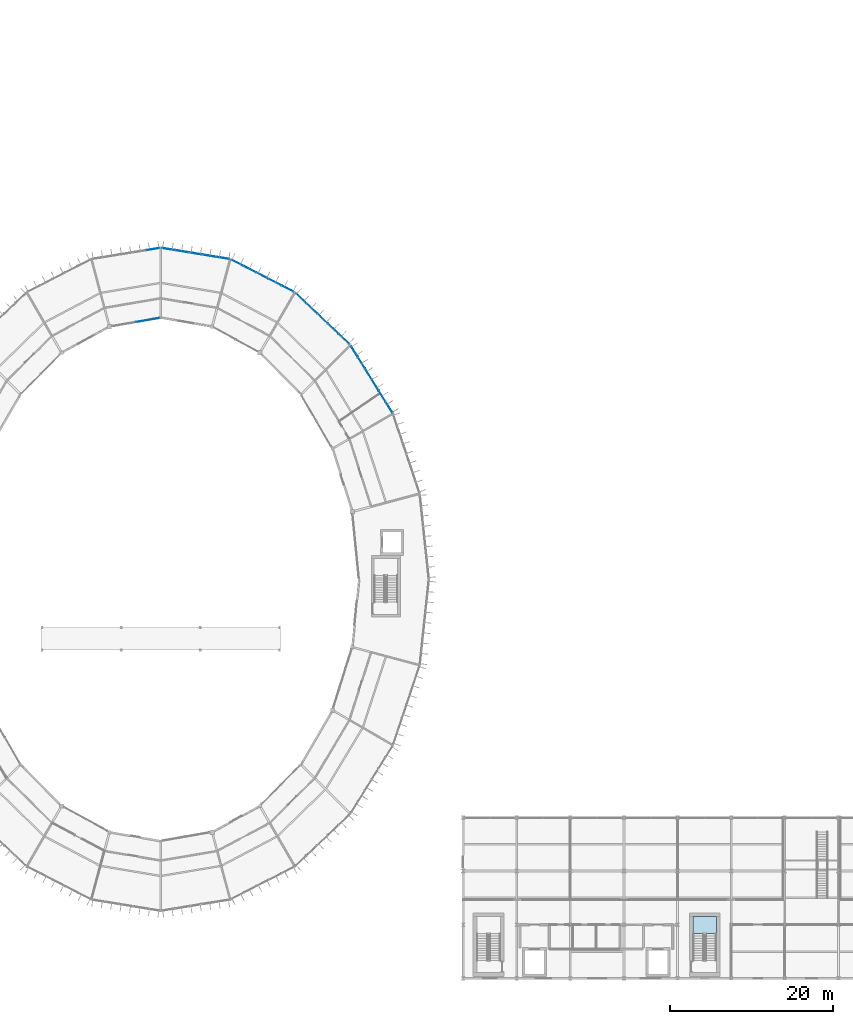
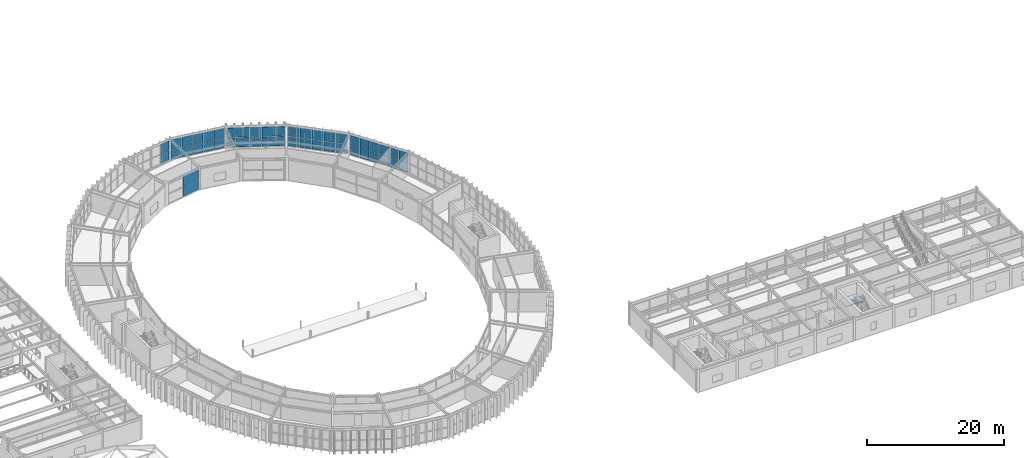
# One storey, part 119 of 157: 46 plates, 1 slab, 7 elements without a shape of their own.
"""IFC4 building model written with IfcOpenShell, lengths in metres."""

from ifc_helpers import new_model, si_unit, direction, frame, origin, origin_2d, place, context, subcontext, project, spatial, polyline, rectangle, outline, extrude, material, layer, layer_set, type_object, element, aggregate, save


model = new_model("IFC4")

# Units and contexts
model_context = context("Model", 3, precision=1e-05, world=origin(), true_north=direction((0.0, 1.0)))
body_context = subcontext(model_context, "Body", "Model", "MODEL_VIEW")
ifc_project = project(units=[si_unit("LENGTHUNIT", "METRE"), si_unit("AREAUNIT", "SQUARE_METRE"), si_unit("VOLUMEUNIT", "CUBIC_METRE"), si_unit("PLANEANGLEUNIT", "RADIAN"), si_unit("MASSUNIT", "GRAM", prefix="KILO")], contexts=[model_context])

# Site, building, storey
site_placement = place(None, origin())
site = spatial("IfcSite", under=ifc_project, at=site_placement, CompositionType="ELEMENT")
building_placement = place(site_placement, origin())
building = spatial("IfcBuilding", under=site, at=building_placement, Name="Karori Crest Natural Sciences Institute", CompositionType="ELEMENT")
storey_placement = place(building_placement, frame((0.0, 0.0, 13.300048828125)))
storey = spatial("IfcBuildingStorey", under=building, at=storey_placement, Name="L03", CompositionType="ELEMENT", Elevation=13.300048828125)

# Curtain wall, plates
ifc_material_1 = material(Name="Anodised architectural aluminium 6063-T6", Category="aluminium")
curtain_wall_type_1 = type_object("IfcCurtainWallType", Name="CWT-04", PredefinedType="NOTDEFINED", material=ifc_material_1)
curtain_wall_1_placement = place(storey_placement, origin())
curtain_wall_1 = element("IfcCurtainWall", 1, at=curtain_wall_1_placement, inside=storey, type_object=curtain_wall_type_1, Name="Curtain wall CW-0105", PredefinedType="NOTDEFINED")
ifc_material_2 = material(Name="Double low-E laminated glass", Category="glass")
ifc_layer_1 = layer(ifc_material_2, 0.02392578125, Name="Double low-E laminated glass")
ifc_layer_set_1 = layer_set([ifc_layer_1], Name="Double low-E laminated glass")
plate_type_1 = type_object("IfcPlateType", Name="CWP-01", PredefinedType="CURTAIN_PANEL", material=ifc_layer_set_1)
plate_1_placement = place(storey_placement, frame((83.695556640625, 84.47900390625, 0.06005859375), z_axis=(0.0, 0.0, 1.0), x_axis=(0.725471459192, -0.688252251648, 0.0)))
plate_1 = element("IfcPlate", 2, at=plate_1_placement, type_object=plate_type_1, Name="CW-0105 panel 1.1", PredefinedType="CURTAIN_PANEL", context=body_context, shape_type="SweptSolid", body=[
    extrude(rectangle(XDim=1.717041015625, YDim=0.02392578125, at=origin_2d()), origin(), (0.0, 0.0, 1.0), 1.722412109375),
])
plate_2_placement = place(storey_placement, frame((83.695556640625, 84.47900390625, 1.84228515625), z_axis=(0.0, 0.0, 1.0), x_axis=(0.725471459192, -0.688252251648, 0.0)))
plate_2 = element("IfcPlate", 3, at=plate_2_placement, type_object=plate_type_1, Name="CW-0105 panel 1.2", PredefinedType="CURTAIN_PANEL", context=body_context, shape_type="SweptSolid", body=[
    extrude(rectangle(XDim=1.717041015625, YDim=0.02392578125, at=origin_2d()), origin(), (0.0, 0.0, 1.0), 1.722412109375),
])
plate_3_placement = place(storey_placement, frame((85.000244140625, 83.2412109375, 0.06005859375), z_axis=(0.0, 0.0, 1.0), x_axis=(0.725471459192, -0.688252251648, 0.0)))
plate_3 = element("IfcPlate", 4, at=plate_3_placement, type_object=plate_type_1, Name="CW-0105 panel 2.1", PredefinedType="CURTAIN_PANEL", context=body_context, shape_type="SweptSolid", body=[
    extrude(rectangle(XDim=1.749755859375, YDim=0.02392578125, at=origin_2d()), origin(), (0.0, 0.0, 1.0), 1.722412109375),
])
plate_4_placement = place(storey_placement, frame((85.000244140625, 83.2412109375, 1.84228515625), z_axis=(0.0, 0.0, 1.0), x_axis=(0.725471459192, -0.688252251648, 0.0)))
plate_4 = element("IfcPlate", 5, at=plate_4_placement, type_object=plate_type_1, Name="CW-0105 panel 2.2", PredefinedType="CURTAIN_PANEL", context=body_context, shape_type="SweptSolid", body=[
    extrude(rectangle(XDim=1.749755859375, YDim=0.02392578125, at=origin_2d()), origin(), (0.0, 0.0, 1.0), 1.722412109375),
])
plate_5_placement = place(storey_placement, frame((86.31689453125, 81.992431640625, 0.06005859375), z_axis=(0.0, 0.0, 1.0), x_axis=(0.725471459192, -0.688252251648, 0.0)))
plate_5 = element("IfcPlate", 6, at=plate_5_placement, type_object=plate_type_1, Name="CW-0105 panel 3.1", PredefinedType="CURTAIN_PANEL", context=body_context, shape_type="SweptSolid", body=[
    extrude(rectangle(XDim=1.749755859375, YDim=0.02392578125, at=origin_2d()), origin(), (0.0, 0.0, 1.0), 1.722412109375),
])
plate_6_placement = place(storey_placement, frame((86.31689453125, 81.992431640625, 1.84228515625), z_axis=(0.0, 0.0, 1.0), x_axis=(0.725471459192, -0.688252251648, 0.0)))
plate_6 = element("IfcPlate", 7, at=plate_6_placement, type_object=plate_type_1, Name="CW-0105 panel 3.2", PredefinedType="CURTAIN_PANEL", context=body_context, shape_type="SweptSolid", body=[
    extrude(rectangle(XDim=1.749755859375, YDim=0.02392578125, at=origin_2d()), origin(), (0.0, 0.0, 1.0), 1.722412109375),
])
plate_7_placement = place(storey_placement, frame((87.63330078125, 80.743408203125, 0.06005859375), z_axis=(0.0, 0.0, 1.0), x_axis=(0.725471459192, -0.688252251648, 0.0)))
plate_7 = element("IfcPlate", 8, at=plate_7_placement, type_object=plate_type_1, Name="CW-0105 panel 4.1", PredefinedType="CURTAIN_PANEL", context=body_context, shape_type="SweptSolid", body=[
    extrude(rectangle(XDim=1.749755859375, YDim=0.02392578125, at=origin_2d()), origin(), (0.0, 0.0, 1.0), 1.722412109375),
])
plate_8_placement = place(storey_placement, frame((87.63330078125, 80.743408203125, 1.84228515625), z_axis=(0.0, 0.0, 1.0), x_axis=(0.725471459192, -0.688252251648, 0.0)))
plate_8 = element("IfcPlate", 9, at=plate_8_placement, type_object=plate_type_1, Name="CW-0105 panel 4.2", PredefinedType="CURTAIN_PANEL", context=body_context, shape_type="SweptSolid", body=[
    extrude(rectangle(XDim=1.749755859375, YDim=0.02392578125, at=origin_2d()), origin(), (0.0, 0.0, 1.0), 1.722412109375),
])
plate_9_placement = place(storey_placement, frame((88.93798828125, 79.505615234375, 0.06005859375), z_axis=(0.0, 0.0, 1.0), x_axis=(0.725471459192, -0.688252251648, 0.0)))
plate_9 = element("IfcPlate", 10, at=plate_9_placement, type_object=plate_type_1, Name="CW-0105 panel 5.1", PredefinedType="CURTAIN_PANEL", context=body_context, shape_type="SweptSolid", body=[
    extrude(rectangle(XDim=1.717041015625, YDim=0.02392578125, at=origin_2d()), origin(), (0.0, 0.0, 1.0), 1.722412109375),
])
plate_10_placement = place(storey_placement, frame((88.93798828125, 79.505615234375, 1.84228515625), z_axis=(0.0, 0.0, 1.0), x_axis=(0.725471459192, -0.688252251648, 0.0)))
plate_10 = element("IfcPlate", 11, at=plate_10_placement, type_object=plate_type_1, Name="CW-0105 panel 5.2", PredefinedType="CURTAIN_PANEL", context=body_context, shape_type="SweptSolid", body=[
    extrude(rectangle(XDim=1.717041015625, YDim=0.02392578125, at=origin_2d()), origin(), (0.0, 0.0, 1.0), 1.722412109375),
])
aggregate(curtain_wall_1, [plate_1, plate_2, plate_3, plate_4, plate_5, plate_6, plate_7, plate_8, plate_9, plate_10])

curtain_wall_type_2 = type_object("IfcCurtainWallType", Name="CWT-07", PredefinedType="NOTDEFINED", material=ifc_material_1)
curtain_wall_2_placement = place(storey_placement, origin())
curtain_wall_2 = element("IfcCurtainWall", 12, at=curtain_wall_2_placement, inside=storey, type_object=curtain_wall_type_2, Name="Curtain wall CW-0109", PredefinedType="NOTDEFINED")
plate_11_placement = place(storey_placement, frame((65.428955078125, 90.5419921875, 0.06494140625), z_axis=(0.0, 0.0, 1.0), x_axis=(0.987011397252, 0.160650246484, 0.0)))
plate_11 = element("IfcPlate", 13, at=plate_11_placement, type_object=plate_type_1, Name="CW-0109 panel 5.1", PredefinedType="CURTAIN_PANEL", context=body_context, shape_type="SweptSolid", body=[
    extrude(rectangle(XDim=1.582275390625, YDim=0.02392578125, at=origin_2d()), origin(), (0.0, 0.0, 1.0), 1.715087890625),
])
plate_12_placement = place(storey_placement, frame((65.428955078125, 90.5419921875, 1.8447265625), z_axis=(0.0, 0.0, 1.0), x_axis=(0.987011397252, 0.160650246484, 0.0)))
plate_12 = element("IfcPlate", 14, at=plate_12_placement, type_object=plate_type_1, Name="CW-0109 panel 5.2", PredefinedType="CURTAIN_PANEL", context=body_context, shape_type="SweptSolid", body=[
    extrude(rectangle(XDim=1.582275390625, YDim=0.02392578125, at=origin_2d()), origin(), (0.0, 0.0, 1.0), 1.715087890625),
])
aggregate(curtain_wall_2, [plate_11, plate_12])

curtain_wall_type_3 = type_object("IfcCurtainWallType", Name="CWT-12", PredefinedType="NOTDEFINED", material=ifc_material_1)
curtain_wall_3_placement = place(storey_placement, origin())
curtain_wall_3 = element("IfcCurtainWall", 15, at=curtain_wall_3_placement, inside=storey, type_object=curtain_wall_type_3, Name="Curtain wall CW-0110", PredefinedType="NOTDEFINED")
plate_13_placement = place(storey_placement, frame((64.798095703125, 81.821533203125, 0.06005859375), z_axis=(0.0, 0.0, 1.0), x_axis=(-0.985240827231, -0.171173924291, 0.0)))
plate_13 = element("IfcPlate", 16, at=plate_13_placement, type_object=plate_type_1, Name="CW-0110 panel 1.1", PredefinedType="CURTAIN_PANEL", context=body_context, shape_type="SweptSolid", body=[
    extrude(rectangle(XDim=2.91796875, YDim=0.02392578125, at=origin_2d()), origin(), (0.0, 0.0, 1.0), 1.735107421875),
])
plate_14_placement = place(storey_placement, frame((64.798095703125, 81.821533203125, 1.85498046875), z_axis=(0.0, 0.0, 1.0), x_axis=(-0.985240827231, -0.171173924291, 0.0)))
plate_14 = element("IfcPlate", 17, at=plate_14_placement, type_object=plate_type_1, Name="CW-0110 panel 1.2", PredefinedType="CURTAIN_PANEL", context=body_context, shape_type="SweptSolid", body=[
    extrude(rectangle(XDim=2.91796875, YDim=0.02392578125, at=origin_2d()), origin(), (0.0, 0.0, 1.0), 1.735107421875),
])
aggregate(curtain_wall_3, [plate_13, plate_14])

curtain_wall_type_4 = type_object("IfcCurtainWallType", Name="CWT-05", PredefinedType="NOTDEFINED", material=ifc_material_1)
curtain_wall_4_placement = place(storey_placement, origin())
curtain_wall_4 = element("IfcCurtainWall", 18, at=curtain_wall_4_placement, inside=storey, type_object=curtain_wall_type_4, Name="Curtain wall CW-0106", PredefinedType="NOTDEFINED")
ifc_layer_2 = layer(ifc_material_2, 0.033935546875, Name="Double low-E laminated glass")
ifc_layer_set_2 = layer_set([ifc_layer_2], Name="Double low-E laminated glass")
plate_type_2 = type_object("IfcPlateType", Name="CWP-02", PredefinedType="CURTAIN_PANEL", material=ifc_layer_set_2)
plate_15_placement = place(storey_placement, frame((75.806640625, 88.866455078125, 0.06494140625), z_axis=(0.0, 0.0, 1.0), x_axis=(0.890067432138, -0.455828878252, 0.0)))
plate_15 = element("IfcPlate", 19, at=plate_15_placement, type_object=plate_type_2, Name="CW-0106 panel 1.1", PredefinedType="CURTAIN_PANEL", context=body_context, shape_type="SweptSolid", body=[
    extrude(rectangle(XDim=1.645751953125, YDim=0.033935546875, at=origin_2d()), origin(), (0.0, 0.0, 1.0), 1.715087890625),
])
plate_16_placement = place(storey_placement, frame((75.806640625, 88.866455078125, 1.8447265625), z_axis=(0.0, 0.0, 1.0), x_axis=(0.890067432138, -0.455828878252, 0.0)))
plate_16 = element("IfcPlate", 20, at=plate_16_placement, type_object=plate_type_2, Name="CW-0106 panel 1.2", PredefinedType="CURTAIN_PANEL", context=body_context, shape_type="SweptSolid", body=[
    extrude(rectangle(XDim=1.645751953125, YDim=0.033935546875, at=origin_2d()), origin(), (0.0, 0.0, 1.0), 1.715087890625),
])
plate_17_placement = place(storey_placement, frame((77.34375, 88.079345703125, 0.06494140625), z_axis=(0.0, 0.0, 1.0), x_axis=(0.890067432138, -0.455828878252, 0.0)))
plate_17 = element("IfcPlate", 21, at=plate_17_placement, type_object=plate_type_2, Name="CW-0106 panel 2.1", PredefinedType="CURTAIN_PANEL", context=body_context, shape_type="SweptSolid", body=[
    extrude(rectangle(XDim=1.678466796875, YDim=0.033935546875, at=origin_2d()), origin(), (0.0, 0.0, 1.0), 1.715087890625),
])
plate_18_placement = place(storey_placement, frame((77.34375, 88.079345703125, 1.8447265625), z_axis=(0.0, 0.0, 1.0), x_axis=(0.890067432138, -0.455828878252, 0.0)))
plate_18 = element("IfcPlate", 22, at=plate_18_placement, type_object=plate_type_2, Name="CW-0106 panel 2.2", PredefinedType="CURTAIN_PANEL", context=body_context, shape_type="SweptSolid", body=[
    extrude(rectangle(XDim=1.678466796875, YDim=0.033935546875, at=origin_2d()), origin(), (0.0, 0.0, 1.0), 1.715087890625),
])
plate_19_placement = place(storey_placement, frame((78.8955078125, 87.28466796875, 0.06494140625), z_axis=(0.0, 0.0, 1.0), x_axis=(0.890067432138, -0.455828878252, 0.0)))
plate_19 = element("IfcPlate", 23, at=plate_19_placement, type_object=plate_type_2, Name="CW-0106 panel 3.1", PredefinedType="CURTAIN_PANEL", context=body_context, shape_type="SweptSolid", body=[
    extrude(rectangle(XDim=1.678466796875, YDim=0.033935546875, at=origin_2d()), origin(), (0.0, 0.0, 1.0), 1.715087890625),
])
plate_20_placement = place(storey_placement, frame((78.8955078125, 87.28466796875, 1.8447265625), z_axis=(0.0, 0.0, 1.0), x_axis=(0.890067432138, -0.455828878252, 0.0)))
plate_20 = element("IfcPlate", 24, at=plate_20_placement, type_object=plate_type_2, Name="CW-0106 panel 3.2", PredefinedType="CURTAIN_PANEL", context=body_context, shape_type="SweptSolid", body=[
    extrude(rectangle(XDim=1.678466796875, YDim=0.033935546875, at=origin_2d()), origin(), (0.0, 0.0, 1.0), 1.715087890625),
])
plate_21_placement = place(storey_placement, frame((80.447265625, 86.489990234375, 0.06494140625), z_axis=(0.0, 0.0, 1.0), x_axis=(0.890067432138, -0.455828878252, 0.0)))
plate_21 = element("IfcPlate", 25, at=plate_21_placement, type_object=plate_type_2, Name="CW-0106 panel 4.1", PredefinedType="CURTAIN_PANEL", context=body_context, shape_type="SweptSolid", body=[
    extrude(rectangle(XDim=1.678466796875, YDim=0.033935546875, at=origin_2d()), origin(), (0.0, 0.0, 1.0), 1.715087890625),
])
plate_22_placement = place(storey_placement, frame((80.447265625, 86.489990234375, 1.8447265625), z_axis=(0.0, 0.0, 1.0), x_axis=(0.890067432138, -0.455828878252, 0.0)))
plate_22 = element("IfcPlate", 26, at=plate_22_placement, type_object=plate_type_2, Name="CW-0106 panel 4.2", PredefinedType="CURTAIN_PANEL", context=body_context, shape_type="SweptSolid", body=[
    extrude(rectangle(XDim=1.678466796875, YDim=0.033935546875, at=origin_2d()), origin(), (0.0, 0.0, 1.0), 1.715087890625),
])
plate_23_placement = place(storey_placement, frame((81.984375, 85.70263671875, 0.06494140625), z_axis=(0.0, 0.0, 1.0), x_axis=(0.890067432138, -0.455828878252, 0.0)))
plate_23 = element("IfcPlate", 27, at=plate_23_placement, type_object=plate_type_2, Name="CW-0106 panel 5.1", PredefinedType="CURTAIN_PANEL", context=body_context, shape_type="SweptSolid", body=[
    extrude(rectangle(XDim=1.645751953125, YDim=0.033935546875, at=origin_2d()), origin(), (0.0, 0.0, 1.0), 1.715087890625),
])
plate_24_placement = place(storey_placement, frame((81.984375, 85.70263671875, 1.8447265625), z_axis=(0.0, 0.0, 1.0), x_axis=(0.890067432138, -0.455828878252, 0.0)))
plate_24 = element("IfcPlate", 28, at=plate_24_placement, type_object=plate_type_2, Name="CW-0106 panel 5.2", PredefinedType="CURTAIN_PANEL", context=body_context, shape_type="SweptSolid", body=[
    extrude(rectangle(XDim=1.645751953125, YDim=0.033935546875, at=origin_2d()), origin(), (0.0, 0.0, 1.0), 1.715087890625),
])
aggregate(curtain_wall_4, [plate_15, plate_16, plate_17, plate_18, plate_19, plate_20, plate_21, plate_22, plate_23, plate_24])

curtain_wall_type_5 = type_object("IfcCurtainWallType", Name="CWT-03", PredefinedType="NOTDEFINED", material=ifc_material_1)
curtain_wall_5_placement = place(storey_placement, origin())
curtain_wall_5 = element("IfcCurtainWall", 29, at=curtain_wall_5_placement, inside=storey, type_object=curtain_wall_type_5, Name="Curtain wall CW-0103", PredefinedType="NOTDEFINED")
ifc_layer_3 = layer(ifc_material_2, 0.0439453125, Name="Double low-E laminated glass")
ifc_layer_set_3 = layer_set([ifc_layer_3], Name="Double low-E laminated glass")
plate_type_3 = type_object("IfcPlateType", Name="CWP-03", PredefinedType="CURTAIN_PANEL", material=ifc_layer_set_3)
plate_25_placement = place(storey_placement, frame((90.2490234375, 77.921142578125, 0.06494140625), z_axis=(0.0, 0.0, 1.0), x_axis=(0.527327706489, -0.849661985715, 0.0)))
plate_25 = element("IfcPlate", 30, at=plate_25_placement, type_object=plate_type_3, Name="CW-0103 panel 1.1", PredefinedType="CURTAIN_PANEL", context=body_context, shape_type="SweptSolid", body=[
    extrude(rectangle(XDim=1.519287109375, YDim=0.0439453125, at=origin_2d()), origin(), (0.0, 0.0, 1.0), 1.715087890625),
])
plate_26_placement = place(storey_placement, frame((90.2490234375, 77.921142578125, 1.8447265625), z_axis=(0.0, 0.0, 1.0), x_axis=(0.527327706489, -0.849661985715, 0.0)))
plate_26 = element("IfcPlate", 31, at=plate_26_placement, type_object=plate_type_3, Name="CW-0103 panel 1.2", PredefinedType="CURTAIN_PANEL", context=body_context, shape_type="SweptSolid", body=[
    extrude(rectangle(XDim=1.519287109375, YDim=0.0439453125, at=origin_2d()), origin(), (0.0, 0.0, 1.0), 1.715087890625),
])
plate_27_placement = place(storey_placement, frame((91.093017578125, 76.56103515625, 0.06494140625), z_axis=(0.0, 0.0, 1.0), x_axis=(0.527327706489, -0.849661985715, 0.0)))
plate_27 = element("IfcPlate", 32, at=plate_27_placement, type_object=plate_type_3, Name="CW-0103 panel 2.1", PredefinedType="CURTAIN_PANEL", context=body_context, shape_type="SweptSolid", body=[
    extrude(rectangle(XDim=1.5517578125, YDim=0.0439453125, at=origin_2d()), origin(), (0.0, 0.0, 1.0), 1.715087890625),
])
plate_28_placement = place(storey_placement, frame((91.093017578125, 76.56103515625, 1.8447265625), z_axis=(0.0, 0.0, 1.0), x_axis=(0.527327706489, -0.849661985715, 0.0)))
plate_28 = element("IfcPlate", 33, at=plate_28_placement, type_object=plate_type_3, Name="CW-0103 panel 2.2", PredefinedType="CURTAIN_PANEL", context=body_context, shape_type="SweptSolid", body=[
    extrude(rectangle(XDim=1.5517578125, YDim=0.0439453125, at=origin_2d()), origin(), (0.0, 0.0, 1.0), 1.715087890625),
])
plate_29_placement = place(storey_placement, frame((91.945556640625, 75.187255859375, 0.06494140625), z_axis=(0.0, 0.0, 1.0), x_axis=(0.527327706489, -0.849661985715, 0.0)))
plate_29 = element("IfcPlate", 34, at=plate_29_placement, type_object=plate_type_3, Name="CW-0103 panel 3.1", PredefinedType="CURTAIN_PANEL", context=body_context, shape_type="SweptSolid", body=[
    extrude(rectangle(XDim=1.5517578125, YDim=0.0439453125, at=origin_2d()), origin(), (0.0, 0.0, 1.0), 1.715087890625),
])
plate_30_placement = place(storey_placement, frame((91.945556640625, 75.187255859375, 1.8447265625), z_axis=(0.0, 0.0, 1.0), x_axis=(0.527327706489, -0.849661985715, 0.0)))
plate_30 = element("IfcPlate", 35, at=plate_30_placement, type_object=plate_type_3, Name="CW-0103 panel 3.2", PredefinedType="CURTAIN_PANEL", context=body_context, shape_type="SweptSolid", body=[
    extrude(rectangle(XDim=1.5517578125, YDim=0.0439453125, at=origin_2d()), origin(), (0.0, 0.0, 1.0), 1.715087890625),
])
plate_31_placement = place(storey_placement, frame((92.798095703125, 73.813720703125, 0.06494140625), z_axis=(0.0, 0.0, 1.0), x_axis=(0.527327706489, -0.849661985715, 0.0)))
plate_31 = element("IfcPlate", 36, at=plate_31_placement, type_object=plate_type_3, Name="CW-0103 panel 4.1", PredefinedType="CURTAIN_PANEL", context=body_context, shape_type="SweptSolid", body=[
    extrude(rectangle(XDim=1.5517578125, YDim=0.0439453125, at=origin_2d()), origin(), (0.0, 0.0, 1.0), 1.715087890625),
])
plate_32_placement = place(storey_placement, frame((92.798095703125, 73.813720703125, 1.8447265625), z_axis=(0.0, 0.0, 1.0), x_axis=(0.527327706489, -0.849661985715, 0.0)))
plate_32 = element("IfcPlate", 37, at=plate_32_placement, type_object=plate_type_3, Name="CW-0103 panel 4.2", PredefinedType="CURTAIN_PANEL", context=body_context, shape_type="SweptSolid", body=[
    extrude(rectangle(XDim=1.5517578125, YDim=0.0439453125, at=origin_2d()), origin(), (0.0, 0.0, 1.0), 1.715087890625),
])
plate_33_placement = place(storey_placement, frame((93.650634765625, 72.43994140625, 0.06494140625), z_axis=(0.0, 0.0, 1.0), x_axis=(0.527327706489, -0.849661985715, 0.0)))
plate_33 = element("IfcPlate", 38, at=plate_33_placement, type_object=plate_type_3, Name="CW-0103 panel 5.1", PredefinedType="CURTAIN_PANEL", context=body_context, shape_type="SweptSolid", body=[
    extrude(rectangle(XDim=1.5517578125, YDim=0.0439453125, at=origin_2d()), origin(), (0.0, 0.0, 1.0), 1.715087890625),
])
plate_34_placement = place(storey_placement, frame((93.650634765625, 72.43994140625, 1.8447265625), z_axis=(0.0, 0.0, 1.0), x_axis=(0.527327706489, -0.849661985715, 0.0)))
plate_34 = element("IfcPlate", 39, at=plate_34_placement, type_object=plate_type_3, Name="CW-0103 panel 5.2", PredefinedType="CURTAIN_PANEL", context=body_context, shape_type="SweptSolid", body=[
    extrude(rectangle(XDim=1.5517578125, YDim=0.0439453125, at=origin_2d()), origin(), (0.0, 0.0, 1.0), 1.715087890625),
])
plate_35_placement = place(storey_placement, frame((94.49462890625, 71.080078125, 0.06494140625), z_axis=(0.0, 0.0, 1.0), x_axis=(0.527327706489, -0.849661985715, 0.0)))
plate_35 = element("IfcPlate", 40, at=plate_35_placement, type_object=plate_type_3, Name="CW-0103 panel 6.1", PredefinedType="CURTAIN_PANEL", context=body_context, shape_type="SweptSolid", body=[
    extrude(rectangle(XDim=1.519287109375, YDim=0.0439453125, at=origin_2d()), origin(), (0.0, 0.0, 1.0), 1.715087890625),
])
plate_36_placement = place(storey_placement, frame((94.49462890625, 71.080078125, 1.8447265625), z_axis=(0.0, 0.0, 1.0), x_axis=(0.527327706489, -0.849661985715, 0.0)))
plate_36 = element("IfcPlate", 41, at=plate_36_placement, type_object=plate_type_3, Name="CW-0103 panel 6.2", PredefinedType="CURTAIN_PANEL", context=body_context, shape_type="SweptSolid", body=[
    extrude(rectangle(XDim=1.519287109375, YDim=0.0439453125, at=origin_2d()), origin(), (0.0, 0.0, 1.0), 1.715087890625),
])
aggregate(curtain_wall_5, [plate_25, plate_26, plate_27, plate_28, plate_29, plate_30, plate_31, plate_32, plate_33, plate_34, plate_35, plate_36])

curtain_wall_type_6 = type_object("IfcCurtainWallType", Name="CWT-06", PredefinedType="NOTDEFINED", material=ifc_material_1)
curtain_wall_6_placement = place(storey_placement, origin())
curtain_wall_6 = element("IfcCurtainWall", 42, at=curtain_wall_6_placement, inside=storey, type_object=curtain_wall_type_6, Name="Curtain wall CW-0108", PredefinedType="NOTDEFINED")
plate_37_placement = place(storey_placement, frame((67.3759765625, 90.541259765625, 0.06005859375), z_axis=(0.0, 0.0, 1.0), x_axis=(0.987010543275, -0.160655493101, 0.0)))
plate_37 = element("IfcPlate", 43, at=plate_37_placement, type_object=plate_type_3, Name="CW-0108 panel 1.1", PredefinedType="CURTAIN_PANEL", context=body_context, shape_type="SweptSolid", body=[
    extrude(rectangle(XDim=1.592529296875, YDim=0.0439453125, at=origin_2d()), origin(), (0.0, 0.0, 1.0), 1.722412109375),
])
plate_38_placement = place(storey_placement, frame((67.3759765625, 90.541259765625, 1.84228515625), z_axis=(0.0, 0.0, 1.0), x_axis=(0.987010543275, -0.160655493101, 0.0)))
plate_38 = element("IfcPlate", 44, at=plate_38_placement, type_object=plate_type_3, Name="CW-0108 panel 1.2", PredefinedType="CURTAIN_PANEL", context=body_context, shape_type="SweptSolid", body=[
    extrude(rectangle(XDim=1.592529296875, YDim=0.0439453125, at=origin_2d()), origin(), (0.0, 0.0, 1.0), 1.722412109375),
])
plate_39_placement = place(storey_placement, frame((69.028076171875, 90.272216796875, 0.06005859375), z_axis=(0.0, 0.0, 1.0), x_axis=(0.987010543275, -0.160655493101, 0.0)))
plate_39 = element("IfcPlate", 45, at=plate_39_placement, type_object=plate_type_3, Name="CW-0108 panel 2.1", PredefinedType="CURTAIN_PANEL", context=body_context, shape_type="SweptSolid", body=[
    extrude(rectangle(XDim=1.625, YDim=0.0439453125, at=origin_2d()), origin(), (0.0, 0.0, 1.0), 1.722412109375),
])
plate_40_placement = place(storey_placement, frame((69.028076171875, 90.272216796875, 1.84228515625), z_axis=(0.0, 0.0, 1.0), x_axis=(0.987010543275, -0.160655493101, 0.0)))
plate_40 = element("IfcPlate", 46, at=plate_40_placement, type_object=plate_type_3, Name="CW-0108 panel 2.2", PredefinedType="CURTAIN_PANEL", context=body_context, shape_type="SweptSolid", body=[
    extrude(rectangle(XDim=1.625, YDim=0.0439453125, at=origin_2d()), origin(), (0.0, 0.0, 1.0), 1.722412109375),
])
plate_41_placement = place(storey_placement, frame((70.696044921875, 90.000732421875, 0.06005859375), z_axis=(0.0, 0.0, 1.0), x_axis=(0.987010543275, -0.160655493101, 0.0)))
plate_41 = element("IfcPlate", 47, at=plate_41_placement, type_object=plate_type_3, Name="CW-0108 panel 3.1", PredefinedType="CURTAIN_PANEL", context=body_context, shape_type="SweptSolid", body=[
    extrude(rectangle(XDim=1.625, YDim=0.0439453125, at=origin_2d()), origin(), (0.0, 0.0, 1.0), 1.722412109375),
])
plate_42_placement = place(storey_placement, frame((70.696044921875, 90.000732421875, 1.84228515625), z_axis=(0.0, 0.0, 1.0), x_axis=(0.987010543275, -0.160655493101, 0.0)))
plate_42 = element("IfcPlate", 48, at=plate_42_placement, type_object=plate_type_3, Name="CW-0108 panel 3.2", PredefinedType="CURTAIN_PANEL", context=body_context, shape_type="SweptSolid", body=[
    extrude(rectangle(XDim=1.625, YDim=0.0439453125, at=origin_2d()), origin(), (0.0, 0.0, 1.0), 1.722412109375),
])
plate_43_placement = place(storey_placement, frame((72.364013671875, 89.729248046875, 0.06005859375), z_axis=(0.0, 0.0, 1.0), x_axis=(0.987010543275, -0.160655493101, 0.0)))
plate_43 = element("IfcPlate", 49, at=plate_43_placement, type_object=plate_type_3, Name="CW-0108 panel 4.1", PredefinedType="CURTAIN_PANEL", context=body_context, shape_type="SweptSolid", body=[
    extrude(rectangle(XDim=1.625, YDim=0.0439453125, at=origin_2d()), origin(), (0.0, 0.0, 1.0), 1.722412109375),
])
plate_44_placement = place(storey_placement, frame((72.364013671875, 89.729248046875, 1.84228515625), z_axis=(0.0, 0.0, 1.0), x_axis=(0.987010543275, -0.160655493101, 0.0)))
plate_44 = element("IfcPlate", 50, at=plate_44_placement, type_object=plate_type_3, Name="CW-0108 panel 4.2", PredefinedType="CURTAIN_PANEL", context=body_context, shape_type="SweptSolid", body=[
    extrude(rectangle(XDim=1.625, YDim=0.0439453125, at=origin_2d()), origin(), (0.0, 0.0, 1.0), 1.722412109375),
])
plate_45_placement = place(storey_placement, frame((74.015869140625, 89.46044921875, 0.06005859375), z_axis=(0.0, 0.0, 1.0), x_axis=(0.987010543275, -0.160655493101, 0.0)))
plate_45 = element("IfcPlate", 51, at=plate_45_placement, type_object=plate_type_3, Name="CW-0108 panel 5.1", PredefinedType="CURTAIN_PANEL", context=body_context, shape_type="SweptSolid", body=[
    extrude(rectangle(XDim=1.592529296875, YDim=0.0439453125, at=origin_2d()), origin(), (0.0, 0.0, 1.0), 1.722412109375),
])
plate_46_placement = place(storey_placement, frame((74.015869140625, 89.46044921875, 1.84228515625), z_axis=(0.0, 0.0, 1.0), x_axis=(0.987010543275, -0.160655493101, 0.0)))
plate_46 = element("IfcPlate", 52, at=plate_46_placement, type_object=plate_type_3, Name="CW-0108 panel 5.2", PredefinedType="CURTAIN_PANEL", context=body_context, shape_type="SweptSolid", body=[
    extrude(rectangle(XDim=1.592529296875, YDim=0.0439453125, at=origin_2d()), origin(), (0.0, 0.0, 1.0), 1.722412109375),
])
aggregate(curtain_wall_6, [plate_37, plate_38, plate_39, plate_40, plate_41, plate_42, plate_43, plate_44, plate_45, plate_46])

# Stair, slab
ifc_material_3 = material(Name="Concrete 40 MPa", Category="concrete")
stair_type = type_object("IfcStairType", Name="STT-01", PredefinedType="HALF_TURN_STAIR", material=ifc_material_3)
stair_placement = place(storey_placement, origin())
stair = element("IfcStair", 53, at=stair_placement, inside=storey, type_object=stair_type, Name="Protected stair ST-04-L03", PredefinedType="HALF_TURN_STAIR")
ifc_layer_4 = layer(ifc_material_3, 0.2099609375, Name="Concrete 40 MPa")
ifc_layer_set_4 = layer_set([ifc_layer_4], Name="Concrete 40 MPa")
slab_type = type_object("IfcSlabType", Name="SLT-11", PredefinedType="LANDING", material=ifc_layer_set_4)
slab_placement = place(storey_placement, frame((0.0, 0.0, 1.889892578125)))
slab = element("IfcSlab", 54, at=slab_placement, type_object=slab_type, Name="ST-04-L03 landing 1", PredefinedType="LANDING", context=body_context, shape_type="SweptSolid", body=[
    extrude(outline(polyline([(134.800048828125, 6.300048828125), (134.800048828125, 8.39990234375), (131.89990234375, 8.39990234375), (131.89990234375, 6.300048828125), (134.800048828125, 6.300048828125)])), origin(), (0.0, 0.0, 1.0), 0.2099609375),
])
aggregate(stair, [slab])

save(model, "model.ifc")
